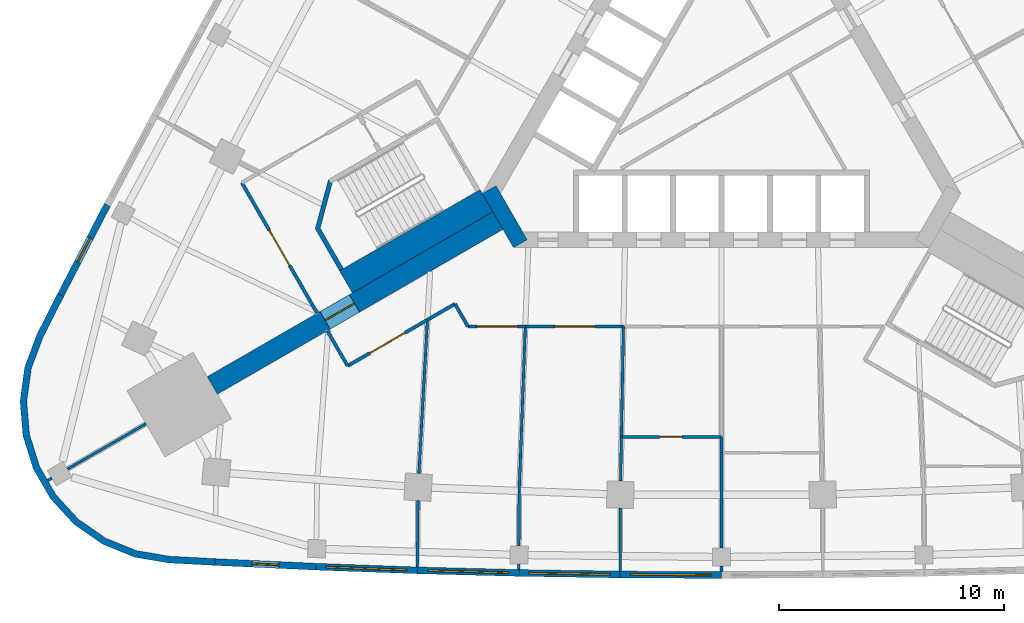
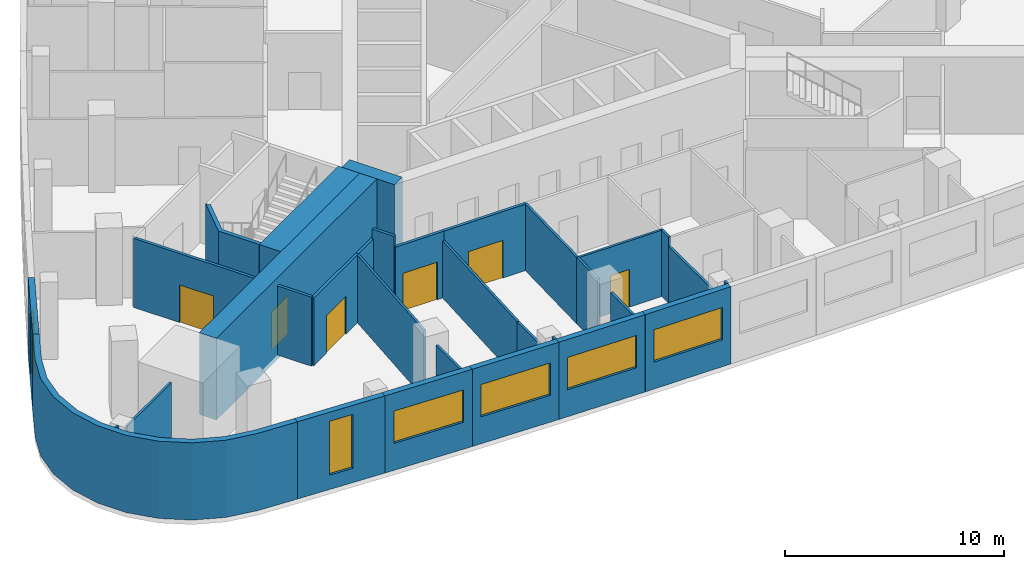
# One storey, part 4 of 11: 32 walls, 6 doors, 6 windows, 12 openings.
"""IFC4 building model written with IfcOpenShell, lengths in metres."""

from ifc_helpers import new_model, si_unit, direction, frame, frame_2d, origin, place, context, subcontext, project, spatial, polyline, rectangle, outline, extrude, material, layer, layer_set, type_object, element, fill, save


model = new_model("IFC4")

# Units and contexts
model_context = context("Model", 3, precision=1e-05, world=origin(), true_north=direction((0.0, 1.0)))
body_context = subcontext(model_context, "Body", "Model", "MODEL_VIEW")
ifc_project = project(units=[si_unit("LENGTHUNIT", "METRE"), si_unit("AREAUNIT", "SQUARE_METRE"), si_unit("VOLUMEUNIT", "CUBIC_METRE"), si_unit("PLANEANGLEUNIT", "RADIAN"), si_unit("MASSUNIT", "GRAM", prefix="KILO")], contexts=[model_context])

# Site, building, storey
site_placement = place(None, origin())
site = spatial("IfcSite", under=ifc_project, at=site_placement, CompositionType="ELEMENT")
building_placement = place(site_placement, origin())
building = spatial("IfcBuilding", under=site, at=building_placement, Name="Noor Cloister Tower", CompositionType="ELEMENT")
storey_placement = place(building_placement, frame((0.0, 0.0, 19.5)))
storey = spatial("IfcBuildingStorey", under=building, at=storey_placement, Name="L04", CompositionType="ELEMENT", Elevation=19.5)

# Wall, opening, door
ifc_material_1 = material(Name="Concrete C80/95", Category="concrete")
ifc_layer_1 = layer(ifc_material_1, 0.89990234375)
ifc_layer_set_1 = layer_set([ifc_layer_1], Name="Buttress wall 900 C80/95")
wall_type_1 = type_object("IfcWallType", Name="Buttress wall 900 C80/95", PredefinedType="SHEAR", material=ifc_layer_set_1)
wall_1_placement = place(storey_placement, frame((-9.921630859375, -5.728271484375, -0.25), z_axis=(0.0, 0.0, 1.0), x_axis=(-0.866028046028, -0.499995423472, 0.0)))
wall_1 = element("IfcWall", 1, at=wall_1_placement, inside=storey, type_object=wall_type_1, Name="Buttress wall SW L04", PredefinedType="SHEAR", context=body_context, shape_type="SweptSolid", body=[
    extrude(rectangle(XDim=14.632568359375, YDim=0.89990234375, at=frame_2d((7.31640625, 0.0))), origin(), (0.0, 0.0, 1.0), 4.550048828125),
])
opening_1_placement = place(wall_1_placement, frame((7.35009765625, 0.0, 0.25)))
opening_1 = element("IfcOpeningElement", 2, at=opening_1_placement, cuts=wall_1, Name="Opening L04-034", PredefinedType="OPENING", context=body_context, shape_type="SweptSolid", body=[
    extrude(rectangle(XDim=1.5, YDim=2.10009765625, at=frame_2d((0.75, 1.050048828125))), frame((0.0, 0.4599609375, 0.0), z_axis=(0.0, -1.0, 0.0), x_axis=(1.0, 0.0, 0.0)), (0.0, 0.0, 1.0), 0.919921875),
])
ifc_material_2 = material(Name="Steel fire door", Category="steel")
door_type_1 = type_object("IfcDoorType", Name="Smoke barrier door FD60 1500", OperationType="DOUBLE_DOOR_SINGLE_SWING", PredefinedType="DOOR", material=ifc_material_2)
door_1_placement = place(opening_1_placement, origin())
door_1 = element("IfcDoor", 3, at=door_1_placement, inside=storey, type_object=door_type_1, Name="Door L04-034", OperationType="DOUBLE_DOOR_SINGLE_SWING", OverallHeight=2.10009765625, OverallWidth=1.5, PredefinedType="DOOR", context=body_context, shape_type="SweptSolid", body=[
    extrude(rectangle(XDim=1.5, YDim=2.10009765625, at=frame_2d((0.75, 1.050048828125))), frame((0.0, 0.02490234375, 0.0), z_axis=(0.0, -1.0, 0.0), x_axis=(1.0, 0.0, 0.0)), (0.0, 0.0, 1.0), 0.050048828125),
])
fill(opening_1, door_1)

# Wall
ifc_material_3 = material(Name="Concrete C80/95", Category="concrete")
ifc_layer_2 = layer(ifc_material_3, 0.699951171875)
ifc_layer_set_2 = layer_set([ifc_layer_2], Name="Core wall 700 C80/95")
wall_type_2 = type_object("IfcWallType", Name="Core wall 700 C80/95", PredefinedType="SHEAR", material=ifc_layer_set_2)
wall_2_placement = place(storey_placement, frame((-10.311279296875, -4.353271484375, -0.25), z_axis=(0.0, 0.0, 1.0), x_axis=(0.500042739161, -0.866000726912, 0.0)))
element("IfcWall", 4, at=wall_2_placement, inside=storey, type_object=wall_type_2, Name="Core wall L04 6", PredefinedType="SHEAR", context=body_context, shape_type="SweptSolid", body=[
    extrude(rectangle(XDim=2.771240234375, YDim=0.699951171875, at=frame_2d((1.3857421875, 0.0))), origin(), (0.0, 0.0, 1.0), 4.550048828125),
])

# Wall, opening, door
ifc_material_4 = material(Name="Plasterboard on steel studs", Category="steel")
ifc_layer_3 = layer(ifc_material_4, 0.14990234375)
ifc_layer_set_3 = layer_set([ifc_layer_3], Name="Corridor wall 150")
wall_type_3 = type_object("IfcWallType", Name="Corridor wall 150", PredefinedType="PARTITIONING", material=ifc_layer_set_3)
wall_3_placement = place(storey_placement, frame((-13.044921875, -10.1298828125, 0.0), z_axis=(0.0, 0.0, 1.0), x_axis=(-0.866035577775, -0.499982377718, 0.0)))
wall_3 = element("IfcWall", 5, at=wall_3_placement, inside=storey, type_object=wall_type_3, Name="Partition", PredefinedType="PARTITIONING", context=body_context, shape_type="SweptSolid", body=[
    extrude(rectangle(XDim=4.092529296875, YDim=0.14990234375, at=frame_2d((2.04638671875, 0.0))), origin(), (0.0, 0.0, 1.0), 3.76708984375),
])
opening_2_placement = place(wall_3_placement, frame((1.14990234375, 0.0, 0.0)))
opening_2 = element("IfcOpeningElement", 6, at=opening_2_placement, cuts=wall_3, Name="Opening L04-004", PredefinedType="OPENING", context=body_context, shape_type="SweptSolid", body=[
    extrude(rectangle(XDim=1.800048828125, YDim=2.10009765625, at=frame_2d((0.89990234375, 1.050048828125))), frame((0.0, 0.0849609375, 0.0), z_axis=(0.0, -1.0, 0.0), x_axis=(1.0, 0.0, 0.0)), (0.0, 0.0, 1.0), 0.169921875),
])
ifc_material_5 = material(Name="Timber door leaf", Category="wood")
door_type_2 = type_object("IfcDoorType", Name="Double leaf door 1800", OperationType="DOUBLE_DOOR_SINGLE_SWING", PredefinedType="DOOR", material=ifc_material_5)
door_2_placement = place(opening_2_placement, origin())
door_2 = element("IfcDoor", 7, at=door_2_placement, inside=storey, type_object=door_type_2, Name="Door L04-004", OperationType="DOUBLE_DOOR_SINGLE_SWING", OverallHeight=2.10009765625, OverallWidth=1.800048828125, PredefinedType="DOOR", context=body_context, shape_type="SweptSolid", body=[
    extrude(rectangle(XDim=1.800048828125, YDim=2.10009765625, at=frame_2d((0.89990234375, 1.050048828125))), frame((0.0, 0.02490234375, 0.0), z_axis=(0.0, -1.0, 0.0), x_axis=(1.0, 0.0, 0.0)), (0.0, 0.0, 1.0), 0.050048828125),
])
fill(opening_2, door_2)

# Wall
wall_4_placement = place(storey_placement, frame((-16.591064453125, -12.176025390625, 0.0), z_axis=(0.0, 0.0, 1.0), x_axis=(-0.499965372359, 0.866045395139, 0.0)))
element("IfcWall", 8, at=wall_4_placement, inside=storey, type_object=wall_type_3, Name="Partition", PredefinedType="PARTITIONING", context=body_context, shape_type="SweptSolid", body=[
    extrude(rectangle(XDim=1.798095703125, YDim=0.14990234375, at=frame_2d((0.89892578125, 0.0))), origin(), (0.0, 0.0, 1.0), 3.843017578125),
])

# Wall, opening, door
wall_5_placement = place(storey_placement, frame((-4.346923828125, -10.427978515625, 0.0), z_axis=(0.0, 0.0, 1.0), x_axis=(-1.0, 0.0, 0.0)))
wall_5 = element("IfcWall", 9, at=wall_5_placement, inside=storey, type_object=wall_type_3, Name="Partition", PredefinedType="PARTITIONING", context=body_context, shape_type="SweptSolid", body=[
    extrude(rectangle(XDim=4.362060546875, YDim=0.14990234375, at=frame_2d((2.18115234375, 0.0))), origin(), (0.0, 0.0, 1.0), 3.697998046875),
])
opening_3_placement = place(wall_5_placement, frame((1.25, 0.0, 0.0)))
opening_3 = element("IfcOpeningElement", 10, at=opening_3_placement, cuts=wall_5, Name="Opening L04-008", PredefinedType="OPENING", context=body_context, shape_type="SweptSolid", body=[
    extrude(rectangle(XDim=1.800048828125, YDim=2.10009765625, at=frame_2d((0.89990234375, 1.050048828125))), frame((0.0, 0.0849609375, 0.0), z_axis=(0.0, -1.0, 0.0), x_axis=(1.0, 0.0, 0.0)), (0.0, 0.0, 1.0), 0.169921875),
])
door_3_placement = place(opening_3_placement, origin())
door_3 = element("IfcDoor", 11, at=door_3_placement, inside=storey, type_object=door_type_2, Name="Door L04-008", OperationType="DOUBLE_DOOR_SINGLE_SWING", OverallHeight=2.10009765625, OverallWidth=1.800048828125, PredefinedType="DOOR", context=body_context, shape_type="SweptSolid", body=[
    extrude(rectangle(XDim=1.800048828125, YDim=2.10009765625, at=frame_2d((0.89990234375, 1.050048828125))), frame((0.0, 0.02490234375, 0.0), z_axis=(0.0, -1.0, 0.0), x_axis=(1.0, 0.0, 0.0)), (0.0, 0.0, 1.0), 0.050048828125),
])
fill(opening_3, door_3)

wall_6_placement = place(storey_placement, frame((-8.700927734375, -10.427978515625, 0.0), z_axis=(0.0, 0.0, 1.0), x_axis=(-1.0, 0.0, 0.0)))
wall_6 = element("IfcWall", 12, at=wall_6_placement, inside=storey, type_object=wall_type_3, Name="Partition", PredefinedType="PARTITIONING", context=body_context, shape_type="SweptSolid", body=[
    extrude(rectangle(XDim=2.548095703125, YDim=0.14990234375, at=frame_2d((1.27392578125, 0.0))), origin(), (0.0, 0.0, 1.0), 3.697998046875),
])
opening_4_placement = place(wall_6_placement, frame((0.35009765625, 0.0, 0.0)))
opening_4 = element("IfcOpeningElement", 13, at=opening_4_placement, cuts=wall_6, Name="Opening L04-009", PredefinedType="OPENING", context=body_context, shape_type="SweptSolid", body=[
    extrude(rectangle(XDim=1.800048828125, YDim=2.10009765625, at=frame_2d((0.89990234375, 1.050048828125))), frame((0.0, 0.0849609375, 0.0), z_axis=(0.0, -1.0, 0.0), x_axis=(1.0, 0.0, 0.0)), (0.0, 0.0, 1.0), 0.169921875),
])
door_4_placement = place(opening_4_placement, origin())
door_4 = element("IfcDoor", 14, at=door_4_placement, inside=storey, type_object=door_type_2, Name="Door L04-009", OperationType="DOUBLE_DOOR_SINGLE_SWING", OverallHeight=2.10009765625, OverallWidth=1.800048828125, PredefinedType="DOOR", context=body_context, shape_type="SweptSolid", body=[
    extrude(rectangle(XDim=1.800048828125, YDim=2.10009765625, at=frame_2d((0.89990234375, 1.050048828125))), frame((0.0, 0.02490234375, 0.0), z_axis=(0.0, -1.0, 0.0), x_axis=(1.0, 0.0, 0.0)), (0.0, 0.0, 1.0), 0.050048828125),
])
fill(opening_4, door_4)

# Walls
wall_7_placement = place(storey_placement, frame((-11.2490234375, -10.427978515625, 0.0), z_axis=(0.0, 0.0, 1.0), x_axis=(-0.499978438088, 0.866037852202, 0.0)))
element("IfcWall", 15, at=wall_7_placement, inside=storey, type_object=wall_type_3, Name="Partition", PredefinedType="PARTITIONING", context=body_context, shape_type="SweptSolid", body=[
    extrude(rectangle(XDim=1.15576171875, YDim=0.14990234375, at=frame_2d((0.577880859375, 0.0))), origin(), (0.0, 0.0, 1.0), 4.300048828125),
])
wall_8_placement = place(storey_placement, frame((-11.827880859375, -9.427001953125, 0.0), z_axis=(0.0, 0.0, 1.0), x_axis=(-0.866110865696, -0.499851946404, 0.0)))
element("IfcWall", 16, at=wall_8_placement, inside=storey, type_object=wall_type_3, Name="Partition", PredefinedType="PARTITIONING", context=body_context, shape_type="SweptSolid", body=[
    extrude(rectangle(XDim=1.41455078125, YDim=0.14990234375, at=frame_2d((0.707275390625, 0.0))), origin(), (0.0, 0.0, 1.0), 3.76708984375),
])

# Wall, opening, door
wall_9_placement = place(storey_placement, frame((-17.94091796875, -9.837890625, 0.0), z_axis=(0.0, 0.0, 1.0), x_axis=(-0.500048140185, 0.865997608252, 0.0)))
wall_9 = element("IfcWall", 17, at=wall_9_placement, inside=storey, type_object=wall_type_3, Name="Partition", PredefinedType="PARTITIONING", context=body_context, shape_type="SweptSolid", body=[
    extrude(rectangle(XDim=6.683349609375, YDim=0.14990234375, at=frame_2d((3.341796875, 0.0))), origin(), (0.0, 0.0, 1.0), 3.843017578125),
])
opening_5_placement = place(wall_9_placement, frame((2.449951171875, 0.0, 0.0)))
opening_5 = element("IfcOpeningElement", 18, at=opening_5_placement, cuts=wall_9, Name="Opening L04-012", PredefinedType="OPENING", context=body_context, shape_type="SweptSolid", body=[
    extrude(rectangle(XDim=1.800048828125, YDim=2.10009765625, at=frame_2d((0.89990234375, 1.050048828125))), frame((0.0, 0.0849609375, 0.0), z_axis=(0.0, -1.0, 0.0), x_axis=(1.0, 0.0, 0.0)), (0.0, 0.0, 1.0), 0.169921875),
])
door_5_placement = place(opening_5_placement, origin())
door_5 = element("IfcDoor", 19, at=door_5_placement, inside=storey, type_object=door_type_2, Name="Door L04-012", OperationType="DOUBLE_DOOR_SINGLE_SWING", OverallHeight=2.10009765625, OverallWidth=1.800048828125, PredefinedType="DOOR", context=body_context, shape_type="SweptSolid", body=[
    extrude(rectangle(XDim=1.800048828125, YDim=2.10009765625, at=frame_2d((0.89990234375, 1.050048828125))), frame((0.0, 0.02490234375, 0.0), z_axis=(0.0, -1.0, 0.0), x_axis=(1.0, 0.0, 0.0)), (0.0, 0.0, 1.0), 0.050048828125),
])
fill(opening_5, door_5)

# Wall
ifc_material_6 = material(Name="Limestone", Category="masonry")
ifc_layer_4 = layer(ifc_material_6, 0.300048828125)
ifc_layer_set_4 = layer_set([ifc_layer_4], Name="Limestone cladding 300")
wall_type_4 = type_object("IfcWallType", Name="Limestone cladding 300", PredefinedType="NOTDEFINED", material=ifc_layer_set_4)
wall_10_placement = place(storey_placement, origin())
element("IfcWall", 20, at=wall_10_placement, inside=storey, type_object=wall_type_4, Name="Limestone pier cladding L04 1.1", PredefinedType="NOTDEFINED", context=body_context, shape_type="SweptSolid", body=[
    extrude(outline(polyline([(-29.457275390625, -8.962158203125), (-30.378662109375, -10.7763671875), (-30.917236328125, -12.2177734375), (-31.127685546875, -13.7421875), (-31.0, -15.275634765625), (-30.540283203125, -16.744140625), (-29.77099609375, -18.07666015625), (-28.72900390625, -19.208984375), (-27.46484375, -20.086181640625), (-26.03955078125, -20.666259765625), (-24.52197265625, -20.920654296875), (-22.490234375, -21.02978515625), (-22.47412109375, -20.730224609375), (-24.489013671875, -20.621826171875), (-25.95703125, -20.375732421875), (-27.321044921875, -19.82080078125), (-28.53076171875, -18.9814453125), (-29.52783203125, -17.89794921875), (-30.263916015625, -16.622802734375), (-30.70361328125, -15.217529296875), (-30.825927734375, -13.750244140625), (-30.62451171875, -12.291748046875), (-30.103515625, -10.89697265625), (-29.18994140625, -9.097900390625), (-29.457275390625, -8.962158203125)])), origin(), (0.0, 0.0, 1.0), 4.300048828125),
])

# Wall, opening, window
ifc_material_7 = material(Name="Limestone", Category="masonry")
ifc_layer_5 = layer(ifc_material_7, 0.300048828125)
ifc_layer_set_5 = layer_set([ifc_layer_5], Name="Limestone panel wall 300")
wall_type_5 = type_object("IfcWallType", Name="Limestone panel wall 300", PredefinedType="NOTDEFINED", material=ifc_layer_set_5)
wall_11_placement = place(storey_placement, frame((-29.3232421875, -9.029296875, 0.0), z_axis=(0.0, 0.0, 1.0), x_axis=(0.459443600121, 0.888206945654, 0.0)))
wall_11 = element("IfcWall", 21, at=wall_11_placement, inside=storey, type_object=wall_type_5, Name="Limestone wall L04 NW 10", PredefinedType="NOTDEFINED", context=body_context, shape_type="SweptSolid", body=[
    extrude(rectangle(XDim=4.49609375, YDim=0.300048828125, at=frame_2d((2.248046875, 0.0))), origin(), (0.0, 0.0, 1.0), 4.300048828125),
])
opening_6_placement = place(wall_11_placement, frame((1.64794921875, 0.0, 0.800048828125)))
opening_6 = element("IfcOpeningElement", 22, at=opening_6_placement, cuts=wall_11, Name="Opening L04-W10", PredefinedType="OPENING", context=body_context, shape_type="SweptSolid", body=[
    extrude(rectangle(XDim=1.199951171875, YDim=3.0, at=frame_2d((0.60009765625, 1.5))), frame((0.0, 0.16015625, 0.0), z_axis=(0.0, -1.0, 0.0), x_axis=(1.0, 0.0, 0.0)), (0.0, 0.0, 1.0), 0.320068359375),
])
ifc_material_8 = material(Name="Aluminium 6063-T6 anodised", Category="aluminium")
window_type_1 = type_object("IfcWindowType", Name="Lancet window 1200 x 3000", PartitioningType="SINGLE_PANEL", PredefinedType="WINDOW", material=ifc_material_8)
window_1_placement = place(opening_6_placement, origin())
window_1 = element("IfcWindow", 23, at=window_1_placement, inside=storey, type_object=window_type_1, Name="Window L04 10", OverallHeight=3.0, OverallWidth=1.199951171875, PartitioningType="SINGLE_PANEL", PredefinedType="WINDOW", context=body_context, shape_type="SweptSolid", body=[
    extrude(rectangle(XDim=1.199951171875, YDim=3.0, at=frame_2d((0.60009765625, 1.5))), frame((0.0, 0.030029296875, 0.0), z_axis=(0.0, -1.0, 0.0), x_axis=(1.0, 0.0, 0.0)), (0.0, 0.0, 1.0), 0.06005859375),
])
fill(opening_6, window_1)

wall_12_placement = place(storey_placement, frame((-17.989990234375, -21.087646484375, 0.0), z_axis=(0.0, 0.0, 1.0), x_axis=(-0.998931717866, 0.046210637742, 0.0)))
wall_12 = element("IfcWall", 24, at=wall_12_placement, inside=storey, type_object=wall_type_5, Name="Limestone wall L04 S 1", PredefinedType="NOTDEFINED", context=body_context, shape_type="SweptSolid", body=[
    extrude(rectangle(XDim=4.49609375, YDim=0.300048828125, at=frame_2d((2.248046875, 0.0))), origin(), (0.0, 0.0, 1.0), 4.300048828125),
])
opening_7_placement = place(wall_12_placement, frame((1.64794921875, 0.0, 0.800048828125)))
opening_7 = element("IfcOpeningElement", 25, at=opening_7_placement, cuts=wall_12, Name="Opening L04-W11", PredefinedType="OPENING", context=body_context, shape_type="SweptSolid", body=[
    extrude(rectangle(XDim=1.199951171875, YDim=3.0, at=frame_2d((0.60009765625, 1.5))), frame((0.0, 0.16015625, 0.0), z_axis=(0.0, -1.0, 0.0), x_axis=(1.0, 0.0, 0.0)), (0.0, 0.0, 1.0), 0.320068359375),
])
window_2_placement = place(opening_7_placement, origin())
window_2 = element("IfcWindow", 26, at=window_2_placement, inside=storey, type_object=window_type_1, Name="Window L04 11", OverallHeight=3.0, OverallWidth=1.199951171875, PartitioningType="SINGLE_PANEL", PredefinedType="WINDOW", context=body_context, shape_type="SweptSolid", body=[
    extrude(rectangle(XDim=1.199951171875, YDim=3.0, at=frame_2d((0.60009765625, 1.5))), frame((0.0, 0.030029296875, 0.0), z_axis=(0.0, -1.0, 0.0), x_axis=(1.0, 0.0, 0.0)), (0.0, 0.0, 1.0), 0.06005859375),
])
fill(opening_7, window_2)

wall_13_placement = place(storey_placement, frame((-13.494384765625, -21.249267578125, 0.0), z_axis=(0.0, 0.0, 1.0), x_axis=(-0.999355640029, 0.035892962294, 0.0)))
wall_13 = element("IfcWall", 27, at=wall_13_placement, inside=storey, type_object=wall_type_5, Name="Limestone wall L04 S 2", PredefinedType="NOTDEFINED", context=body_context, shape_type="SweptSolid", body=[
    extrude(rectangle(XDim=4.49609375, YDim=0.300048828125, at=frame_2d((2.248046875, 0.0))), origin(), (0.0, 0.0, 1.0), 4.300048828125),
])
opening_8_placement = place(wall_13_placement, frame((0.447998046875, 0.0, 1.5)))
opening_8 = element("IfcOpeningElement", 28, at=opening_8_placement, cuts=wall_13, Name="Opening L04-W12", PredefinedType="OPENING", context=body_context, shape_type="SweptSolid", body=[
    extrude(rectangle(XDim=3.60009765625, YDim=1.800048828125, at=frame_2d((1.800048828125, 0.89990234375))), frame((0.0, 0.16015625, 0.0), z_axis=(0.0, -1.0, 0.0), x_axis=(1.0, 0.0, 0.0)), (0.0, 0.0, 1.0), 0.320068359375),
])
ifc_material_9 = material(Name="Aluminium 6063-T6 anodised", Category="aluminium")
window_type_2 = type_object("IfcWindowType", Name="Clerestory window 3600 x 1800", PartitioningType="SINGLE_PANEL", PredefinedType="WINDOW", material=ifc_material_9)
window_3_placement = place(opening_8_placement, origin())
window_3 = element("IfcWindow", 29, at=window_3_placement, inside=storey, type_object=window_type_2, Name="Window L04 12", OverallHeight=1.800048828125, OverallWidth=3.60009765625, PartitioningType="SINGLE_PANEL", PredefinedType="WINDOW", context=body_context, shape_type="SweptSolid", body=[
    extrude(rectangle(XDim=3.60009765625, YDim=1.800048828125, at=frame_2d((1.800048828125, 0.89990234375))), frame((0.0, 0.030029296875, 0.0), z_axis=(0.0, -1.0, 0.0), x_axis=(1.0, 0.0, 0.0)), (0.0, 0.0, 1.0), 0.06005859375),
])
fill(opening_8, window_3)

wall_14_placement = place(storey_placement, frame((-8.99755859375, -21.36474609375, 0.0), z_axis=(0.0, 0.0, 1.0), x_axis=(-0.999671466587, 0.025631209312, 0.0)))
wall_14 = element("IfcWall", 30, at=wall_14_placement, inside=storey, type_object=wall_type_5, Name="Limestone wall L04 S 3", PredefinedType="NOTDEFINED", context=body_context, shape_type="SweptSolid", body=[
    extrude(rectangle(XDim=4.495849609375, YDim=0.300048828125, at=frame_2d((2.248046875, 0.0))), origin(), (0.0, 0.0, 1.0), 4.300048828125),
])
opening_9_placement = place(wall_14_placement, frame((0.447998046875, 0.0, 1.5)))
opening_9 = element("IfcOpeningElement", 31, at=opening_9_placement, cuts=wall_14, Name="Opening L04-W13", PredefinedType="OPENING", context=body_context, shape_type="SweptSolid", body=[
    extrude(rectangle(XDim=3.60009765625, YDim=1.800048828125, at=frame_2d((1.800048828125, 0.89990234375))), frame((0.0, 0.16015625, 0.0), z_axis=(0.0, -1.0, 0.0), x_axis=(1.0, 0.0, 0.0)), (0.0, 0.0, 1.0), 0.320068359375),
])
window_4_placement = place(opening_9_placement, origin())
window_4 = element("IfcWindow", 32, at=window_4_placement, inside=storey, type_object=window_type_2, Name="Window L04 13", OverallHeight=1.800048828125, OverallWidth=3.60009765625, PartitioningType="SINGLE_PANEL", PredefinedType="WINDOW", context=body_context, shape_type="SweptSolid", body=[
    extrude(rectangle(XDim=3.60009765625, YDim=1.800048828125, at=frame_2d((1.800048828125, 0.89990234375))), frame((0.0, 0.030029296875, 0.0), z_axis=(0.0, -1.0, 0.0), x_axis=(1.0, 0.0, 0.0)), (0.0, 0.0, 1.0), 0.06005859375),
])
fill(opening_9, window_4)

wall_15_placement = place(storey_placement, frame((-4.49951171875, -21.43408203125, 0.0), z_axis=(0.0, 0.0, 1.0), x_axis=(-0.999881921814, 0.015366926462, 0.0)))
wall_15 = element("IfcWall", 33, at=wall_15_placement, inside=storey, type_object=wall_type_5, Name="Limestone wall L04 S 4", PredefinedType="NOTDEFINED", context=body_context, shape_type="SweptSolid", body=[
    extrude(rectangle(XDim=4.49609375, YDim=0.300048828125, at=frame_2d((2.248046875, 0.0))), origin(), (0.0, 0.0, 1.0), 4.300048828125),
])
opening_10_placement = place(wall_15_placement, frame((0.447998046875, 0.0, 1.5)))
opening_10 = element("IfcOpeningElement", 34, at=opening_10_placement, cuts=wall_15, Name="Opening L04-W14", PredefinedType="OPENING", context=body_context, shape_type="SweptSolid", body=[
    extrude(rectangle(XDim=3.60009765625, YDim=1.800048828125, at=frame_2d((1.800048828125, 0.89990234375))), frame((0.0, 0.16015625, 0.0), z_axis=(0.0, -1.0, 0.0), x_axis=(1.0, 0.0, 0.0)), (0.0, 0.0, 1.0), 0.320068359375),
])
window_5_placement = place(opening_10_placement, origin())
window_5 = element("IfcWindow", 35, at=window_5_placement, inside=storey, type_object=window_type_2, Name="Window L04 14", OverallHeight=1.800048828125, OverallWidth=3.60009765625, PartitioningType="SINGLE_PANEL", PredefinedType="WINDOW", context=body_context, shape_type="SweptSolid", body=[
    extrude(rectangle(XDim=3.60009765625, YDim=1.800048828125, at=frame_2d((1.800048828125, 0.89990234375))), frame((0.0, 0.030029296875, 0.0), z_axis=(0.0, -1.0, 0.0), x_axis=(1.0, 0.0, 0.0)), (0.0, 0.0, 1.0), 0.06005859375),
])
fill(opening_10, window_5)

wall_16_placement = place(storey_placement, frame((-0.001220703125, -21.457275390625, 0.0), z_axis=(0.0, 0.0, 1.0), x_axis=(-0.999986693461, 0.005158769258, 0.0)))
wall_16 = element("IfcWall", 36, at=wall_16_placement, inside=storey, type_object=wall_type_5, Name="Limestone wall L04 S 5", PredefinedType="NOTDEFINED", context=body_context, shape_type="SweptSolid", body=[
    extrude(rectangle(XDim=4.495849609375, YDim=0.300048828125, at=frame_2d((2.248046875, 0.0))), origin(), (0.0, 0.0, 1.0), 4.300048828125),
])
opening_11_placement = place(wall_16_placement, frame((0.447998046875, 0.0, 1.5)))
opening_11 = element("IfcOpeningElement", 37, at=opening_11_placement, cuts=wall_16, Name="Opening L04-W15", PredefinedType="OPENING", context=body_context, shape_type="SweptSolid", body=[
    extrude(rectangle(XDim=3.60009765625, YDim=1.800048828125, at=frame_2d((1.800048828125, 0.89990234375))), frame((0.0, 0.16015625, 0.0), z_axis=(0.0, -1.0, 0.0), x_axis=(1.0, 0.0, 0.0)), (0.0, 0.0, 1.0), 0.320068359375),
])
window_6_placement = place(opening_11_placement, origin())
window_6 = element("IfcWindow", 38, at=window_6_placement, inside=storey, type_object=window_type_2, Name="Window L04 15", OverallHeight=1.800048828125, OverallWidth=3.60009765625, PartitioningType="SINGLE_PANEL", PredefinedType="WINDOW", context=body_context, shape_type="SweptSolid", body=[
    extrude(rectangle(XDim=3.60009765625, YDim=1.800048828125, at=frame_2d((1.800048828125, 0.89990234375))), frame((0.0, 0.030029296875, 0.0), z_axis=(0.0, -1.0, 0.0), x_axis=(1.0, 0.0, 0.0)), (0.0, 0.0, 1.0), 0.06005859375),
])
fill(opening_11, window_6)

# Walls
ifc_material_10 = material(Name="Plasterboard on steel studs", Category="steel")
ifc_layer_6 = layer(ifc_material_10, 0.1201171875)
ifc_layer_set_6 = layer_set([ifc_layer_6], Name="Partition wall 120")
wall_type_6 = type_object("IfcWallType", Name="Partition wall 120", PredefinedType="PARTITIONING", material=ifc_layer_set_6)
wall_17_placement = place(storey_placement, frame((0.0, -21.056884765625, 0.0), z_axis=(0.0, 0.0, 1.0), x_axis=(0.0, -1.0, 0.0)))
element("IfcWall", 39, at=wall_17_placement, inside=storey, type_object=wall_type_6, Name="Partition", PredefinedType="PARTITIONING", context=body_context, shape_type="SweptSolid", body=[
    extrude(rectangle(XDim=0.25, YDim=0.1201171875, at=frame_2d((0.125, 0.0))), origin(), (0.0, 0.0, 1.0), 4.300048828125),
])
wall_18_placement = place(storey_placement, frame((0.0, -16.02392578125, 0.0), z_axis=(0.0, 0.0, 1.0), x_axis=(0.0, -1.0, 0.0)))
element("IfcWall", 40, at=wall_18_placement, inside=storey, type_object=wall_type_6, Name="Partition", PredefinedType="PARTITIONING", context=body_context, shape_type="SweptSolid", body=[
    extrude(rectangle(XDim=4.233154296875, YDim=0.1201171875, at=frame_2d((2.11669921875, 0.0))), origin(), (0.0, 0.0, 1.0), 3.179931640625),
])
wall_19_placement = place(storey_placement, frame((-4.490966796875, -18.491943359375, 0.0), z_axis=(0.0, 0.0, 1.0), x_axis=(-0.00288561233, -0.999995836612, 0.0)))
element("IfcWall", 41, at=wall_19_placement, inside=storey, type_object=wall_type_6, Name="Partition", PredefinedType="PARTITIONING", context=body_context, shape_type="SweptSolid", body=[
    extrude(rectangle(XDim=2.7919921875, YDim=0.1201171875, at=frame_2d((1.39599609375, 0.0))), origin(), (0.0, 0.0, 1.0), 3.68310546875),
])
wall_20_placement = place(storey_placement, frame((-4.44189453125, -15.323974609375, 0.0), z_axis=(0.0, 0.0, 1.0), x_axis=(-0.018366021708, -0.999831330399, 0.0)))
element("IfcWall", 42, at=wall_20_placement, inside=storey, type_object=wall_type_6, Name="Partition", PredefinedType="PARTITIONING", context=body_context, shape_type="SweptSolid", body=[
    extrude(rectangle(XDim=1.96728515625, YDim=0.1201171875, at=frame_2d((0.983642578125, 0.0))), origin(), (0.0, 0.0, 1.0), 3.697998046875),
])
wall_21_placement = place(storey_placement, frame((0.0, -16.028076171875, 0.0), z_axis=(0.0, 0.0, 1.0), x_axis=(0.0, 1.0, 0.0)))
element("IfcWall", 43, at=wall_21_placement, inside=storey, type_object=wall_type_6, Name="Partition", PredefinedType="PARTITIONING", context=body_context, shape_type="SweptSolid", body=[
    extrude(rectangle(XDim=0.7041015625, YDim=0.1201171875, at=frame_2d((0.35205078125, 0.0))), origin(), (0.0, 0.0, 1.0), 3.68798828125),
])

# Wall, opening, door
wall_22_placement = place(storey_placement, frame((0.0, -15.327880859375, 0.0), z_axis=(0.0, 0.0, 1.0), x_axis=(-1.0, 0.0, 0.0)))
wall_22 = element("IfcWall", 44, at=wall_22_placement, inside=storey, type_object=wall_type_6, Name="Partition", PredefinedType="PARTITIONING", context=body_context, shape_type="SweptSolid", body=[
    extrude(rectangle(XDim=4.44189453125, YDim=0.1201171875, at=frame_2d((2.220947265625, 0.0))), origin(), (0.0, 0.0, 1.0), 3.68798828125),
])
opening_12_placement = place(wall_22_placement, frame((1.75, 0.0, 0.0)))
opening_12 = element("IfcOpeningElement", 45, at=opening_12_placement, cuts=wall_22, Name="Opening L04-003", PredefinedType="OPENING", context=body_context, shape_type="SweptSolid", body=[
    extrude(rectangle(XDim=1.0, YDim=2.10009765625, at=frame_2d((0.5, 1.050048828125))), frame((0.0, 0.070068359375, 0.0), z_axis=(0.0, -1.0, 0.0), x_axis=(1.0, 0.0, 0.0)), (0.0, 0.0, 1.0), 0.14013671875),
])
ifc_material_11 = material(Name="Timber door leaf", Category="wood")
door_type_3 = type_object("IfcDoorType", Name="Clinic room door 1000", OperationType="SINGLE_SWING_LEFT", PredefinedType="DOOR", material=ifc_material_11)
door_6_placement = place(opening_12_placement, origin())
door_6 = element("IfcDoor", 46, at=door_6_placement, inside=storey, type_object=door_type_3, Name="Door L04-003", OperationType="SINGLE_SWING_RIGHT", OverallHeight=2.10009765625, OverallWidth=1.0, PredefinedType="DOOR", context=body_context, shape_type="SweptSolid", body=[
    extrude(rectangle(XDim=1.0, YDim=2.10009765625, at=frame_2d((0.5, 1.050048828125))), frame((0.0, 0.02490234375, 0.0), z_axis=(0.0, -1.0, 0.0), x_axis=(1.0, 0.0, 0.0)), (0.0, 0.0, 1.0), 0.050048828125),
])
fill(opening_12, door_6)

# Walls
wall_23_placement = place(storey_placement, frame((-13.4951171875, -21.09912109375, 0.0), z_axis=(0.0, 0.0, 1.0), x_axis=(0.009216581037, 0.999957526415, 0.0)))
element("IfcWall", 47, at=wall_23_placement, inside=storey, type_object=wall_type_6, Name="Partition", PredefinedType="PARTITIONING", context=body_context, shape_type="SweptSolid", body=[
    extrude(rectangle(XDim=2.9404296875, YDim=0.1201171875, at=frame_2d((1.47021484375, 0.0))), origin(), (0.0, 0.0, 1.0), 3.68310546875),
])
wall_24_placement = place(storey_placement, frame((-13.428955078125, -16.9599609375, 0.0), z_axis=(0.0, 0.0, 1.0), x_axis=(0.055551088657, 0.998455846069, 0.0)))
element("IfcWall", 48, at=wall_24_placement, inside=storey, type_object=wall_type_6, Name="Partition", PredefinedType="PARTITIONING", context=body_context, shape_type="SweptSolid", body=[
    extrude(rectangle(XDim=6.83837890625, YDim=0.1201171875, at=frame_2d((3.419189453125, 0.0))), origin(), (0.0, 0.0, 1.0), 3.76708984375),
])
wall_25_placement = place(storey_placement, frame((-29.716064453125, -17.156982421875, 0.0), z_axis=(0.0, 0.0, 1.0), x_axis=(-0.865774595023, -0.500434162116, 0.0)))
element("IfcWall", 49, at=wall_25_placement, inside=storey, type_object=wall_type_6, Name="Partition", PredefinedType="PARTITIONING", context=body_context, shape_type="SweptSolid", body=[
    extrude(rectangle(XDim=0.207763671875, YDim=0.1201171875, at=frame_2d((0.10400390625, 0.0))), origin(), (0.0, 0.0, 1.0), 4.300048828125),
])
wall_26_placement = place(storey_placement, frame((-25.5380859375, -14.7451171875, 0.0), z_axis=(0.0, 0.0, 1.0), x_axis=(-0.866027971625, -0.499995552344, 0.0)))
element("IfcWall", 50, at=wall_26_placement, inside=storey, type_object=wall_type_6, Name="Partition", PredefinedType="PARTITIONING", context=body_context, shape_type="SweptSolid", body=[
    extrude(rectangle(XDim=4.02392578125, YDim=0.1201171875, at=frame_2d((2.011962890625, 0.0))), origin(), (0.0, 0.0, 1.0), 3.76708984375),
])
wall_27_placement = place(storey_placement, frame((-8.99609375, -20.965087890625, 0.0), z_axis=(0.0, 0.0, 1.0), x_axis=(-0.007812261592, -0.999969483819, 0.0)))
element("IfcWall", 51, at=wall_27_placement, inside=storey, type_object=wall_type_6, Name="Partition", PredefinedType="PARTITIONING", context=body_context, shape_type="SweptSolid", body=[
    extrude(rectangle(XDim=0.25, YDim=0.1201171875, at=frame_2d((0.125, 0.0))), origin(), (0.0, 0.0, 1.0), 4.300048828125),
])
wall_28_placement = place(storey_placement, frame((-8.705078125, -10.428955078125, 0.0), z_axis=(0.0, 0.0, 1.0), x_axis=(-0.037170289837, -0.999308945999, 0.0)))
element("IfcWall", 52, at=wall_28_placement, inside=storey, type_object=wall_type_6, Name="Partition", PredefinedType="PARTITIONING", context=body_context, shape_type="SweptSolid", body=[
    extrude(rectangle(XDim=7.34326171875, YDim=0.1201171875, at=frame_2d((3.671630859375, 0.0))), origin(), (0.0, 0.0, 1.0), 3.179931640625),
])
wall_29_placement = place(storey_placement, frame((-8.97802734375, -17.76708984375, 0.0), z_axis=(0.0, 0.0, 1.0), x_axis=(-0.005803200997, -0.999983161287, 0.0)))
element("IfcWall", 53, at=wall_29_placement, inside=storey, type_object=wall_type_6, Name="Partition", PredefinedType="PARTITIONING", context=body_context, shape_type="SweptSolid", body=[
    extrude(rectangle(XDim=2.39794921875, YDim=0.1201171875, at=frame_2d((1.198974609375, 0.0))), origin(), (0.0, 0.0, 1.0), 3.179931640625),
])
wall_30_placement = place(storey_placement, frame((-4.44189453125, -15.326904296875, 0.0), z_axis=(0.0, 0.0, 1.0), x_axis=(0.018539331325, 0.999828131828, 0.0)))
element("IfcWall", 54, at=wall_30_placement, inside=storey, type_object=wall_type_6, Name="Partition", PredefinedType="PARTITIONING", context=body_context, shape_type="SweptSolid", body=[
    extrude(rectangle(XDim=4.898681640625, YDim=0.1201171875, at=frame_2d((2.44921875, 0.0))), origin(), (0.0, 0.0, 1.0), 3.697998046875),
])
ifc_material_12 = material(Name="Concrete C80/95", Category="concrete")
ifc_layer_7 = layer(ifc_material_12, 1.135986328125)
ifc_layer_set_7 = layer_set([ifc_layer_7], Name="Stair enclosure wall 1136 C80/95")
wall_type_7 = type_object("IfcWallType", Name="Stair enclosure wall 1136 C80/95", PredefinedType="SHEAR", material=ifc_layer_set_7)
wall_31_placement = place(storey_placement, frame((-10.430419921875, -4.8466796875, -0.25), z_axis=(0.0, 0.0, 1.0), x_axis=(-0.866018442252, -0.500012057535, 0.0)))
element("IfcWall", 55, at=wall_31_placement, inside=storey, type_object=wall_type_7, Name="Stair enclosure wall ST2 L04 riser side", PredefinedType="SHEAR", context=body_context, shape_type="SweptSolid", body=[
    extrude(rectangle(XDim=7.199951171875, YDim=1.1357421875, at=frame_2d((3.60009765625, 0.0))), origin(), (0.0, 0.0, 1.0), 4.550048828125),
])
ifc_material_13 = material(Name="Concrete C80/95", Category="concrete")
wall_type_8 = type_object("IfcWallType", Name="Stair far end wall C80/95", PredefinedType="SHEAR", material=ifc_material_13)
wall_32_placement = place(storey_placement, frame((0.0, 0.0, -0.25)))
element("IfcWall", 56, at=wall_32_placement, inside=storey, type_object=wall_type_8, Name="Stair enclosure wall ST2 L04 far end", PredefinedType="SHEAR", context=body_context, shape_type="SweptSolid", body=[
    extrude(outline(polyline([(-17.439208984375, -3.907470703125), (-18.024658203125, -6.093017578125), (-16.94970703125, -7.955078125), (-16.776611328125, -7.85498046875), (-17.81005859375, -6.064697265625), (-17.267333984375, -4.039306640625), (-17.339111328125, -4.08056640625), (-17.339111328125, -4.08056640625), (-17.339111328125, -4.08056640625), (-17.339111328125, -4.08056640625), (-17.339111328125, -4.08056640625), (-17.339111328125, -4.08056640625), (-17.339111328125, -4.08056640625), (-17.339111328125, -4.08056640625), (-17.339111328125, -4.08056640625), (-17.339111328125, -4.08056640625), (-17.339111328125, -4.08056640625), (-17.339111328125, -4.08056640625), (-17.339111328125, -4.08056640625), (-17.339111328125, -4.08056640625), (-17.339111328125, -4.08056640625), (-17.339111328125, -4.08056640625), (-17.339111328125, -4.08056640625), (-17.439208984375, -3.907470703125)])), origin(), (0.0, 0.0, 1.0), 4.550048828125),
])

save(model, "model.ifc")
